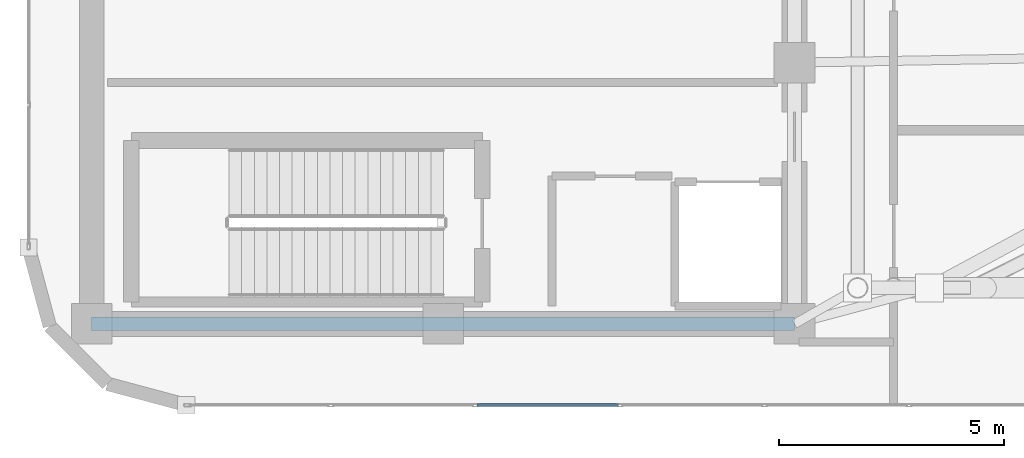
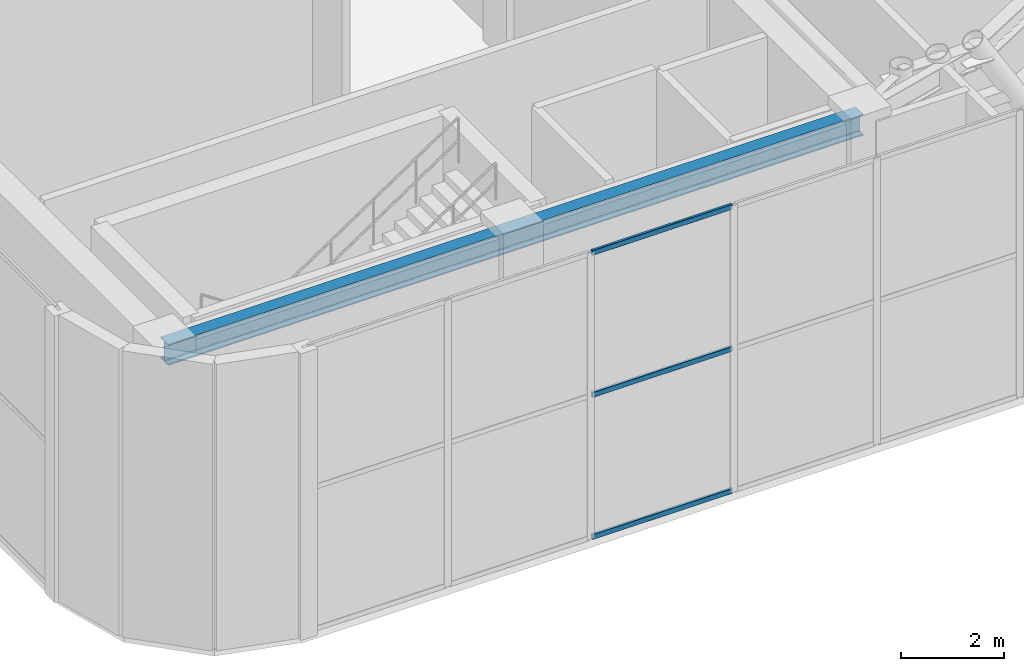
# One storey, part 3 of 23: 3 members, 1 beam, 1 element without a shape of its own.
"""IFC4 building model written with IfcOpenShell, lengths in metres."""

from ifc_helpers import new_model, si_unit, direction, frame, origin, origin_2d, place, context, subcontext, project, spatial, hollow_rectangle, i_section, extrude, material, layer, layer_set, material_profile, profile_set, type_object, element, aggregate, save


model = new_model("IFC4")

# Units and contexts
model_context = context("Model", 3, precision=1e-05, world=origin(), true_north=direction((0.0, 1.0)))
body_context = subcontext(model_context, "Body", "Model", "MODEL_VIEW")
ifc_project = project(units=[si_unit("LENGTHUNIT", "METRE"), si_unit("AREAUNIT", "SQUARE_METRE"), si_unit("VOLUMEUNIT", "CUBIC_METRE"), si_unit("PLANEANGLEUNIT", "RADIAN"), si_unit("MASSUNIT", "GRAM", prefix="KILO")], contexts=[model_context])

# Site, building, storey
site_placement = place(None, origin())
site = spatial("IfcSite", under=ifc_project, at=site_placement, CompositionType="ELEMENT")
building_placement = place(site_placement, origin())
building = spatial("IfcBuilding", under=site, at=building_placement, Name="An Khanh Terracotta Commons", CompositionType="ELEMENT")
storey_placement = place(building_placement, frame((0.0, 0.0, 322.0)))
storey = spatial("IfcBuildingStorey", under=building, at=storey_placement, Name="L81 Crown Heat-Recovery Plant", CompositionType="ELEMENT", Elevation=322.0)

# Beam
ifc_material_1 = material(Name="Steel S355J2", Category="steel")
ifc_material_profile_1 = material_profile(ifc_material_1, i_section(OverallWidth=0.300048828125, OverallDepth=0.5, WebThickness=0.014404296875, FlangeThickness=0.028076171875, FilletRadius=0.027099609375, at=origin_2d()), Name="HEB500")
ifc_profile_set_1 = profile_set([ifc_material_profile_1], Name="Steel S355J2")
beam_type = type_object("IfcBeamType", Name="BM-HEB500", PredefinedType="BEAM", material=ifc_profile_set_1)
beam_placement = place(storey_placement, frame((21.60009765625, 14.39990234375, 6.330078125), z_axis=(1.0, 0.0, 0.0), x_axis=(0.0, 1.0, 0.0)))
element("IfcBeam", 1, at=beam_placement, inside=storey, type_object=beam_type, Name="L81 Crown Heat-Recovery Plant Core South Coupling Girder", PredefinedType="BEAM", context=body_context, shape_type="SweptSolid", body=[
    extrude(i_section(OverallWidth=0.300048828125, OverallDepth=0.5, WebThickness=0.014404296875, FlangeThickness=0.028076171875, FilletRadius=0.027099609375, at=origin_2d()), origin(), (0.0, 0.0, 1.0), 15.599853515625),
])

# Curtain wall, members
ifc_material_2 = material(Name="Anodised Aluminium 6063-T6", Category="aluminium")
ifc_layer = layer(ifc_material_2, 0.18994140625, Name="Anodised Aluminium 6063-T6")
ifc_layer_set = layer_set([ifc_layer], Name="Anodised Aluminium 6063-T6")
curtain_wall_type = type_object("IfcCurtainWallType", Name="CW-SYS-06", PredefinedType="USERDEFINED", material=ifc_layer_set)
curtain_wall_placement = place(storey_placement, origin())
curtain_wall = element("IfcCurtainWall", 2, at=curtain_wall_placement, inside=storey, type_object=curtain_wall_type, Name="L81 Crown Heat-Recovery Plant CW-06 Unitised Curtain Wall CW-L81-04", ObjectType="UNITISED CURTAIN WALL", PredefinedType="USERDEFINED")
ifc_material_profile_2 = material_profile(ifc_material_2, hollow_rectangle(XDim=0.06005859375, YDim=0.1201171875, WallThickness=0.003662109375, InnerFilletRadius=0.003662109375, OuterFilletRadius=0.007080078125, at=origin_2d()), Name="RHS120x60x3.6")
ifc_profile_set_2 = profile_set([ifc_material_profile_2], Name="Anodised Aluminium 6063-T6")
member_type = type_object("IfcMemberType", Name="CWT-RHS120x60x3.6", PredefinedType="USERDEFINED", material=ifc_profile_set_2)
member_1_placement = place(storey_placement, frame((30.149169921875, 12.60009765625, 0.030029296875), z_axis=(1.0, 0.0, 0.0), x_axis=(0.0, 1.0, 0.0)))
member_1 = element("IfcMember", 3, at=member_1_placement, type_object=member_type, Name="CW-06 transom 3.1", ObjectType="TRANSOM", PredefinedType="USERDEFINED", context=body_context, shape_type="SweptSolid", body=[
    extrude(hollow_rectangle(XDim=0.06005859375, YDim=0.1201171875, WallThickness=0.003662109375, InnerFilletRadius=0.003662109375, OuterFilletRadius=0.007080078125, at=origin_2d()), origin(), (0.0, 0.0, 1.0), 3.1435546875),
])
member_2_placement = place(storey_placement, frame((30.149169921875, 12.60009765625, 3.39990234375), z_axis=(1.0, 0.0, 0.0), x_axis=(0.0, 1.0, 0.0)))
member_2 = element("IfcMember", 4, at=member_2_placement, type_object=member_type, Name="CW-06 transom 3.2", ObjectType="TRANSOM", PredefinedType="USERDEFINED", context=body_context, shape_type="SweptSolid", body=[
    extrude(hollow_rectangle(XDim=0.06005859375, YDim=0.1201171875, WallThickness=0.003662109375, InnerFilletRadius=0.003662109375, OuterFilletRadius=0.007080078125, at=origin_2d()), origin(), (0.0, 0.0, 1.0), 3.1435546875),
])
member_3_placement = place(storey_placement, frame((30.149169921875, 12.60009765625, 6.77001953125), z_axis=(1.0, 0.0, 0.0), x_axis=(0.0, 1.0, 0.0)))
member_3 = element("IfcMember", 5, at=member_3_placement, type_object=member_type, Name="CW-06 transom 3.3", ObjectType="TRANSOM", PredefinedType="USERDEFINED", context=body_context, shape_type="SweptSolid", body=[
    extrude(hollow_rectangle(XDim=0.06005859375, YDim=0.1201171875, WallThickness=0.003662109375, InnerFilletRadius=0.003662109375, OuterFilletRadius=0.007080078125, at=origin_2d()), origin(), (0.0, 0.0, 1.0), 3.1435546875),
])
aggregate(curtain_wall, [member_1, member_2, member_3])

save(model, "model.ifc")
